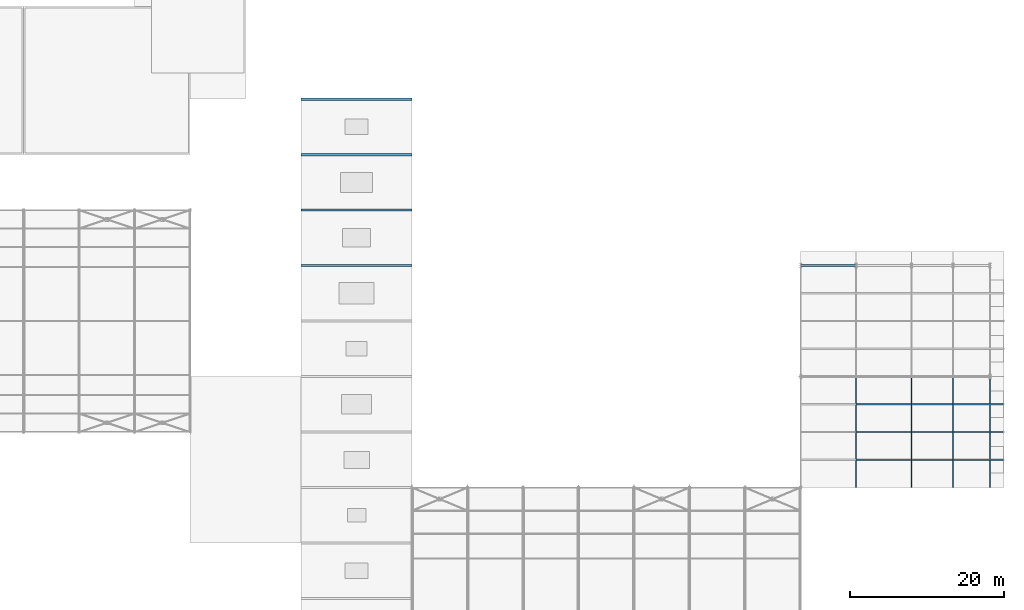
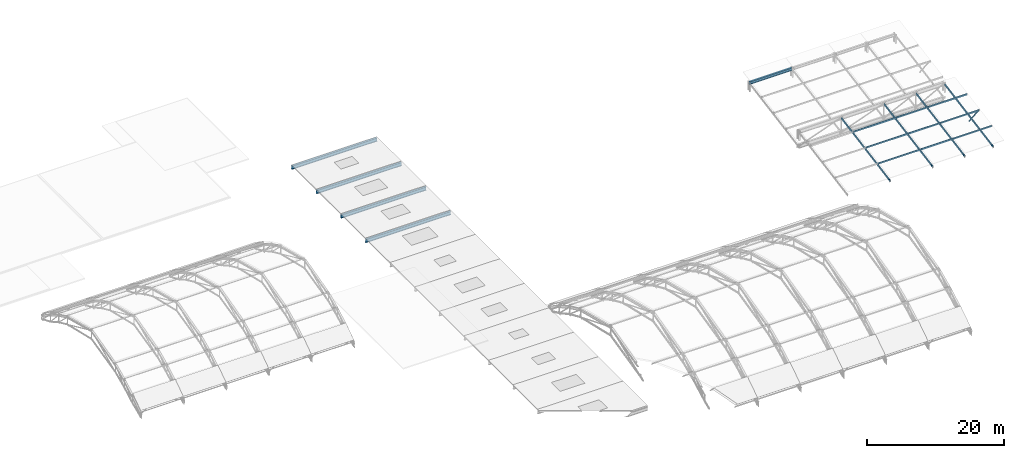
# One storey, part 32 of 63: 10 members, 9 beams.
"""IFC4 building model written with IfcOpenShell, lengths in metres."""

import ifcopenshell
import ifcopenshell.guid

model = None  # the IFC model being written
_history = None  # IfcOwnerHistory: only IFC2X3 demands one
_inside = {}  # id of a spatial element -> (the spatial element, [elements in it])
_under = {}  # id of a project, library or spatial element -> (it, [spatial elements below it])
_declared = {}  # id of a project -> (the project, [libraries it declares])
_typed = {}  # id of a type object -> (the type object, [elements of that type])
_made_of = {}  # id of a material, layer set ... -> (it, [elements and type objects made of it])


def new_model(schema):
    """Start an empty IFC model of exactly this schema.

    Asked for "IFC4X3", IfcOpenShell would pick the latest addendum, in which some entities
    have other attributes; the version numbers below select the first issue.
    IFC2X3 requires an IfcOwnerHistory on every rooted entity: one is made here for all.
    """
    global model, _history
    if schema == "IFC4X3":
        model = ifcopenshell.file(schema_version=(4, 3, 0, 0))
    else:
        model = ifcopenshell.file(schema=schema)
    _inside.clear()
    _under.clear()
    _declared.clear()
    _typed.clear()
    _made_of.clear()
    _history = None
    if model.schema == "IFC2X3":
        org = make("IfcOrganization", Name="unknown")
        user = make(
            "IfcPersonAndOrganization",
            ThePerson=make("IfcPerson", FamilyName="unknown"),
            TheOrganization=org,
        )
        app = make(
            "IfcApplication",
            ApplicationDeveloper=org,
            Version="unknown",
            ApplicationFullName="unknown",
            ApplicationIdentifier="unknown",
        )
        _history = make(
            "IfcOwnerHistory",
            OwningUser=user,
            OwningApplication=app,
            ChangeAction="ADDED",
            CreationDate=0,
        )
    return model


def make(cls, **values):
    """One entity of the class cls with the attributes given. An attribute that is None is left unset."""
    return model.create_entity(
        cls, **{name: value for name, value in values.items() if value is not None}
    )


def rooted(cls, **values):
    """An entity with a GlobalId (a new one), such as an element, a storey or a relation."""
    return make(cls, GlobalId=ifcopenshell.guid.new(), OwnerHistory=_history, **values)


def si_unit(unit_type, name, prefix=None):
    """IfcSIUnit, for example si_unit("LENGTHUNIT", "METRE", prefix="MILLI")."""
    return make("IfcSIUnit", UnitType=unit_type, Prefix=prefix, Name=name)


def assignment(units):
    """IfcUnitAssignment: the units of a project."""
    return None if units is None else make("IfcUnitAssignment", Units=units)


def point(xyz):
    """IfcCartesianPoint."""
    return None if xyz is None else make("IfcCartesianPoint", Coordinates=xyz)


def direction(xyz):
    """IfcDirection."""
    return None if xyz is None else make("IfcDirection", DirectionRatios=xyz)


def frame(location, z_axis=None, x_axis=None):
    """IfcAxis2Placement3D, a coordinate frame: its origin and axes. An axis left out is left unset."""
    return make(
        "IfcAxis2Placement3D",
        Location=point(location),
        Axis=direction(z_axis),
        RefDirection=direction(x_axis),
    )


def frame_2d(location, x_axis=None):
    """IfcAxis2Placement2D, a coordinate frame in the plane: its origin and x axis."""
    return make(
        "IfcAxis2Placement2D", Location=point(location), RefDirection=direction(x_axis)
    )


def origin():
    """The frame at (0, 0, 0) with its axes left unset."""
    return frame((0.0, 0.0, 0.0))


def origin_2d():
    """The frame at (0, 0) in the plane with its x axis left unset."""
    return frame_2d((0.0, 0.0))


def place(relative_to, where):
    """IfcLocalPlacement: puts the frame where relative to a parent placement (None: the world)."""
    return make(
        "IfcLocalPlacement", PlacementRelTo=relative_to, RelativePlacement=where
    )


def context(
    kind, dimensions, precision=None, world=None, true_north=None, identifier=None
):
    """IfcGeometricRepresentationContext, for example the 3D "Model" context."""
    return make(
        "IfcGeometricRepresentationContext",
        ContextIdentifier=identifier,
        ContextType=kind,
        CoordinateSpaceDimension=dimensions,
        Precision=precision,
        WorldCoordinateSystem=world,
        TrueNorth=true_north,
    )


def subcontext(parent, identifier, kind, view, scale=None):
    """IfcGeometricRepresentationSubContext, for example "Body" below "Model"."""
    return make(
        "IfcGeometricRepresentationSubContext",
        ContextIdentifier=identifier,
        ContextType=kind,
        ParentContext=parent,
        TargetScale=scale,
        TargetView=view,
    )


def project(units=None, contexts=None):
    """IfcProject with its units and contexts."""
    return rooted(
        "IfcProject",
        Name="project",
        RepresentationContexts=contexts,
        UnitsInContext=assignment(units),
    )


def spatial(cls, under=None, at=None, **own):
    """A site, building, storey or space (cls), placed at a placement, below another one or the project."""
    s = rooted(cls, ObjectPlacement=at, **own)
    if under is not None:
        _under.setdefault(under.id(), (under, []))[1].append(s)
    return s


def profile(cls, at=None, kind="AREA", **sizes):
    """A parametric profile (cls). Its sizes go by their IFC names, for example OverallWidth=200.0."""
    return make(cls, ProfileType=kind, Position=at, **sizes)


def hollow_rectangle(**sizes):
    """IfcRectangleHollowProfileDef."""
    return profile("IfcRectangleHollowProfileDef", **sizes)


def i_section(**sizes):
    """IfcIShapeProfileDef."""
    return profile("IfcIShapeProfileDef", **sizes)


def extrude(swept, where, along, depth):
    """IfcExtrudedAreaSolid: the profile swept, set in the frame where, extruded along a direction by depth."""
    return make(
        "IfcExtrudedAreaSolid",
        SweptArea=swept,
        Position=where,
        ExtrudedDirection=direction(along),
        Depth=depth,
    )


def shape(context_of_items, identifier, shape_type, items):
    """IfcShapeRepresentation: the items that make up one representation, for example the "Body"."""
    return make(
        "IfcShapeRepresentation",
        ContextOfItems=context_of_items,
        RepresentationIdentifier=identifier,
        RepresentationType=shape_type,
        Items=items,
    )


def material(Name=None, Category=None):
    """IfcMaterial."""
    return make("IfcMaterial", Name=Name, Category=Category)


def material_profile(
    of_material, cross_section, Name=None, Category=None, Priority=None
):
    """IfcMaterialProfile: a cross section and its material."""
    return make(
        "IfcMaterialProfile",
        Name=Name,
        Material=of_material,
        Profile=cross_section,
        Priority=Priority,
        Category=Category,
    )


def profile_set(profiles, Name=None, composite=None):
    """IfcMaterialProfileSet."""
    return make(
        "IfcMaterialProfileSet",
        Name=Name,
        MaterialProfiles=profiles,
        CompositeProfile=composite,
    )


def made_of(thing, what):
    """Note that an element or type object is made of a material, layer set ...; save() writes the relation."""
    if what is not None:
        _made_of.setdefault(what.id(), (what, []))[1].append(thing)
    return thing


def type_object(cls, material=None, **own):
    """A type object (cls), such as IfcWallType, which elements share."""
    return made_of(rooted(cls, **own), material)


def element(
    cls,
    number,
    at=None,
    inside=None,
    cuts=None,
    type_object=None,
    material=None,
    context=None,
    identifier="Body",
    shape_type=None,
    held_by="IfcProductDefinitionShape",
    body=None,
    shapes=None,
    **own,
):
    """One element of the class cls, such as IfcWall. Its Tag is "e" and its number.

    at: its placement. inside: the storey or other place that contains it. cuts: it is an
    opening in that element (IfcRelVoidsElement). A single representation is given by context,
    identifier, shape_type and body (its items); several are given by shapes. held_by: the class
    of the entity that holds the representations. save() writes the other relations.
    """
    e = rooted(cls, Tag="e%d" % number, ObjectPlacement=at, **own)
    if body is not None:
        shapes = [shape(context, identifier, shape_type, body)]
    if shapes is not None:
        e.Representation = make(held_by, Representations=shapes)
    if inside is not None:
        _inside.setdefault(inside.id(), (inside, []))[1].append(e)
    if cuts is not None:
        rooted(
            "IfcRelVoidsElement", RelatingBuildingElement=cuts, RelatedOpeningElement=e
        )
    if type_object is not None:
        _typed.setdefault(type_object.id(), (type_object, []))[1].append(e)
    return made_of(e, material)


def aggregate(whole, parts):
    """IfcRelAggregates: a whole, such as a stair, and the parts it consists of."""
    return rooted("IfcRelAggregates", RelatingObject=whole, RelatedObjects=parts)


def save(model, path):
    """Write the relations noted so far, then the file.

    IfcRelAggregates (storeys below a building ...), IfcRelContainedInSpatialStructure (elements
    in a storey), IfcRelDefinesByType, IfcRelAssociatesMaterial and IfcRelDeclares: one each for
    every whole, place, type object, material and project.
    """
    for whole, parts in _under.values():
        aggregate(whole, parts)
    for where, things in _inside.values():
        rooted(
            "IfcRelContainedInSpatialStructure",
            RelatedElements=things,
            RelatingStructure=where,
        )
    for kind, things in _typed.values():
        rooted("IfcRelDefinesByType", RelatedObjects=things, RelatingType=kind)
    for what, things in _made_of.values():
        rooted("IfcRelAssociatesMaterial", RelatedObjects=things, RelatingMaterial=what)
    for by, libraries in _declared.values():
        rooted("IfcRelDeclares", RelatingContext=by, RelatedDefinitions=libraries)
    model.write(path)


model = new_model("IFC4")

# Units and contexts
model_context = context("Model", 3, precision=1e-05, world=origin(), true_north=direction((0.0, 1.0)))
body_context = subcontext(model_context, "Body", "Model", "MODEL_VIEW")
ifc_project = project(units=[si_unit("LENGTHUNIT", "METRE"), si_unit("AREAUNIT", "SQUARE_METRE"), si_unit("VOLUMEUNIT", "CUBIC_METRE"), si_unit("PLANEANGLEUNIT", "RADIAN"), si_unit("MASSUNIT", "GRAM", prefix="KILO")], contexts=[model_context])

# Site, building, storey
site_placement = place(None, origin())
site = spatial("IfcSite", under=ifc_project, at=site_placement, CompositionType="ELEMENT")
building_placement = place(site_placement, origin())
building = spatial("IfcBuilding", under=site, at=building_placement, Name="Solvadek Multi-Sports Hall", CompositionType="ELEMENT")
storey_placement = place(building_placement, frame((0.0, 0.0, 19.199951171875)))
storey = spatial("IfcBuildingStorey", under=building, at=storey_placement, Name="RF", CompositionType="ELEMENT", Elevation=19.199951171875)

# Beams
ifc_material = material(Name="Steel E350 (350 MPa)", Category="steel")
ifc_material_profile_1 = material_profile(ifc_material, i_section(OverallWidth=0.300048828125, OverallDepth=0.60009765625, WebThickness=0.015380859375, FlangeThickness=0.030029296875, at=origin_2d()), Name="WPB 600")
ifc_profile_set_1 = profile_set([ifc_material_profile_1], Name="Steel E350 (350 MPa)")
beam_type_1 = type_object("IfcBeamType", Name="STR-BM-WPB600", PredefinedType="BEAM", material=ifc_profile_set_1)
for number, where, z_axis, x_axis, name in (
    (1, (72.0, 70.800048828125, -4.099853515625), (1.0, 0.0, 0.0), (0.0, 1.0, 0.0), "V3 Passage Portal Girder #9"),
    (2, (72.0, 78.0, -4.099853515625), (1.0, 0.0, 0.0), (0.0, 1.0, 0.0), "V3 Passage Portal Girder #10"),
    (3, (72.0, 85.199951171875, -4.099853515625), (1.0, 0.0, 0.0), (0.0, 1.0, 0.0), "V3 Passage Portal Girder #11"),
    (4, (72.0, 92.39990234375, -4.099853515625), (1.0, 0.0, 0.0), (0.0, 1.0, 0.0), "V3 Passage Portal Girder #12"),
):
    element("IfcBeam", number, at=place(storey_placement, frame(where, z_axis=z_axis, x_axis=x_axis)), inside=storey, type_object=beam_type_1, Name=name, PredefinedType="BEAM", context=body_context, shape_type="SweptSolid", body=[
        extrude(i_section(OverallWidth=0.300048828125, OverallDepth=0.60009765625, WebThickness=0.015380859375, FlangeThickness=0.030029296875, at=origin_2d()), origin(), (0.0, 0.0, 1.0), 14.39990234375),
    ])

# Members
ifc_material_profile_2 = material_profile(ifc_material, hollow_rectangle(XDim=0.14990234375, YDim=0.14990234375, WallThickness=0.008056640625, at=origin_2d()), Name="SHS 150x150x8")
ifc_profile_set_2 = profile_set([ifc_material_profile_2], Name="Steel E350 (350 MPa)")
member_type_1 = type_object("IfcMemberType", Name="STR-BRC-SHS150", PredefinedType="BRACE", material=ifc_profile_set_2)
member_placement = place(storey_placement, frame((161.39990234375, 49.199951171875, -1.0), z_axis=(0.767534255233, 0.0, 0.641007930562), x_axis=(0.0, 1.0, 0.0)))
element("IfcMember", 5, at=member_placement, inside=storey, type_object=member_type_1, Name="V2 Bracketed Eave Strut #25", PredefinedType="BRACE", context=body_context, shape_type="SweptSolid", body=[
    extrude(hollow_rectangle(XDim=0.14990234375, YDim=0.14990234375, WallThickness=0.008056640625, at=origin_2d()), origin(), (0.0, 0.0, 1.0), 2.215087890625),
])
ifc_material_profile_3 = material_profile(ifc_material, hollow_rectangle(XDim=0.14990234375, YDim=0.25, WallThickness=0.010009765625, at=origin_2d()), Name="RHS 250x150x10")
ifc_profile_set_3 = profile_set([ifc_material_profile_3], Name="Steel E350 (350 MPa)")
member_type_2 = type_object("IfcMemberType", Name="STR-PUR-RHS250", PredefinedType="PURLIN", material=ifc_profile_set_3)
for number, where, z_axis, x_axis, name in (
    (6, (144.0, 45.60009765625, -0.230224609375), (1.0, 0.0, 0.0), (0.0, 1.0, 0.0), "V2 Clerestory Purlin #115"),
    (7, (144.0, 49.199951171875, 0.419921875), (1.0, 0.0, 0.0), (0.0, 1.0, 0.0), "V2 Clerestory Purlin #116"),
    (8, (144.0, 52.800048828125, 1.06982421875), (1.0, 0.0, 0.0), (0.0, 1.0, 0.0), "V2 Clerestory Purlin #117"),
):
    element("IfcMember", number, at=place(storey_placement, frame(where, z_axis=z_axis, x_axis=x_axis)), inside=storey, type_object=member_type_2, Name=name, PredefinedType="PURLIN", context=body_context, shape_type="SweptSolid", body=[
        extrude(hollow_rectangle(XDim=0.14990234375, YDim=0.25, WallThickness=0.010009765625, at=origin_2d()), origin(), (0.0, 0.0, 1.0), 7.199951171875),
    ])
for number, where, z_axis, x_axis, name in (
    (9, (151.199951171875, 45.60009765625, -0.230224609375), (1.0, 0.0, 0.0), (0.0, 1.0, 0.0), "V2 Clerestory Purlin #121"),
    (10, (151.199951171875, 49.199951171875, 0.419921875), (1.0, 0.0, 0.0), (0.0, 1.0, 0.0), "V2 Clerestory Purlin #122"),
    (11, (151.199951171875, 52.800048828125, 1.06982421875), (1.0, 0.0, 0.0), (0.0, 1.0, 0.0), "V2 Clerestory Purlin #123"),
):
    element("IfcMember", number, at=place(storey_placement, frame(where, z_axis=z_axis, x_axis=x_axis)), inside=storey, type_object=member_type_2, Name=name, PredefinedType="PURLIN", context=body_context, shape_type="SweptSolid", body=[
        extrude(hollow_rectangle(XDim=0.14990234375, YDim=0.25, WallThickness=0.010009765625, at=origin_2d()), origin(), (0.0, 0.0, 1.0), 5.400146484375),
    ])
for number, where, z_axis, x_axis, name in (
    (12, (156.60009765625, 45.60009765625, -0.230224609375), (1.0, 0.0, 0.0), (0.0, 1.0, 0.0), "V2 Clerestory Purlin #127"),
    (13, (156.60009765625, 49.199951171875, 0.419921875), (1.0, 0.0, 0.0), (0.0, 1.0, 0.0), "V2 Clerestory Purlin #128"),
    (14, (156.60009765625, 52.800048828125, 1.06982421875), (1.0, 0.0, 0.0), (0.0, 1.0, 0.0), "V2 Clerestory Purlin #129"),
):
    element("IfcMember", number, at=place(storey_placement, frame(where, z_axis=z_axis, x_axis=x_axis)), inside=storey, type_object=member_type_2, Name=name, PredefinedType="PURLIN", context=body_context, shape_type="SweptSolid", body=[
        extrude(hollow_rectangle(XDim=0.14990234375, YDim=0.25, WallThickness=0.010009765625, at=origin_2d()), origin(), (0.0, 0.0, 1.0), 6.599853515625),
    ])

# Beams
ifc_material_profile_4 = material_profile(ifc_material, i_section(OverallWidth=0.300048828125, OverallDepth=0.5, WebThickness=0.014404296875, FlangeThickness=0.028076171875, at=origin_2d()), Name="WPB 500")
ifc_profile_set_4 = profile_set([ifc_material_profile_4], Name="Steel E350 (350 MPa)")
beam_type_2 = type_object("IfcBeamType", Name="STR-SPN-WPB500", PredefinedType="SPANDREL", material=ifc_profile_set_4)
beam_placement = place(storey_placement, frame((136.800048828125, 70.800048828125, 1.408203125), z_axis=(1.0, 0.0, 0.0), x_axis=(0.0, 1.0, 0.0)))
element("IfcBeam", 15, at=beam_placement, inside=storey, type_object=beam_type_2, Name="V2 North Gable Ridge Girder #1", PredefinedType="SPANDREL", context=body_context, shape_type="SweptSolid", body=[
    extrude(i_section(OverallWidth=0.300048828125, OverallDepth=0.5, WebThickness=0.014404296875, FlangeThickness=0.028076171875, at=origin_2d()), origin(), (0.0, 0.0, 1.0), 7.199951171875),
])
ifc_material_profile_5 = material_profile(ifc_material, hollow_rectangle(XDim=0.14990234375, YDim=0.300048828125, WallThickness=0.010009765625, at=origin_2d()), Name="RHS 300x150x10")
ifc_profile_set_5 = profile_set([ifc_material_profile_5], Name="Steel E350 (350 MPa)")
beam_type_3 = type_object("IfcBeamType", Name="STR-TRS-RHS300", PredefinedType="USERDEFINED", material=ifc_profile_set_5)
for number, where, z_axis, x_axis, name in (
    (16, (144.0, 42.0, -1.16943359375), (0.0, 0.984089826423, 0.177671645265), (-1.0, 0.0, 0.0), "V2 Clerestory Rafter Truss 2.1"),
    (17, (151.199951171875, 42.0, -1.16943359375), (0.0, 0.984089826423, 0.177671645265), (-1.0, 0.0, 0.0), "V2 Clerestory Rafter Truss 3.1"),
    (18, (156.60009765625, 42.0, -1.16943359375), (0.0, 0.984089826423, 0.177671645265), (-1.0, 0.0, 0.0), "V2 Clerestory Rafter Truss 4.1"),
    (19, (161.39990234375, 42.0, -1.16943359375), (0.0, 0.984089826423, 0.177671645265), (-1.0, 0.0, 0.0), "V2 East Gable Rafter Truss 1"),
):
    element("IfcBeam", number, at=place(storey_placement, frame(where, z_axis=z_axis, x_axis=x_axis)), inside=storey, type_object=beam_type_3, Name=name, ObjectType="ROOF TRUSS", PredefinedType="USERDEFINED", context=body_context, shape_type="SweptSolid", body=[
        extrude(hollow_rectangle(XDim=0.14990234375, YDim=0.300048828125, WallThickness=0.010009765625, at=origin_2d()), origin(), (0.0, 0.0, 1.0), 14.48046875),
    ])

save(model, "model.ifc")
